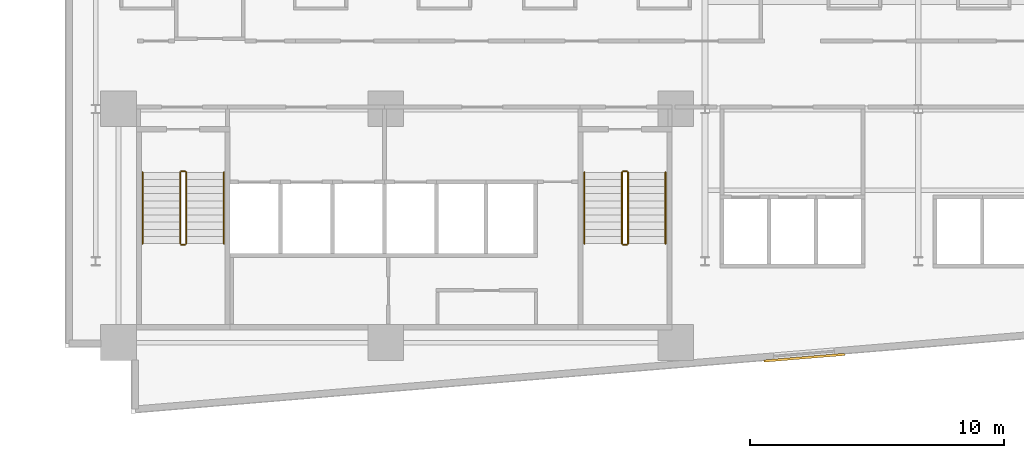
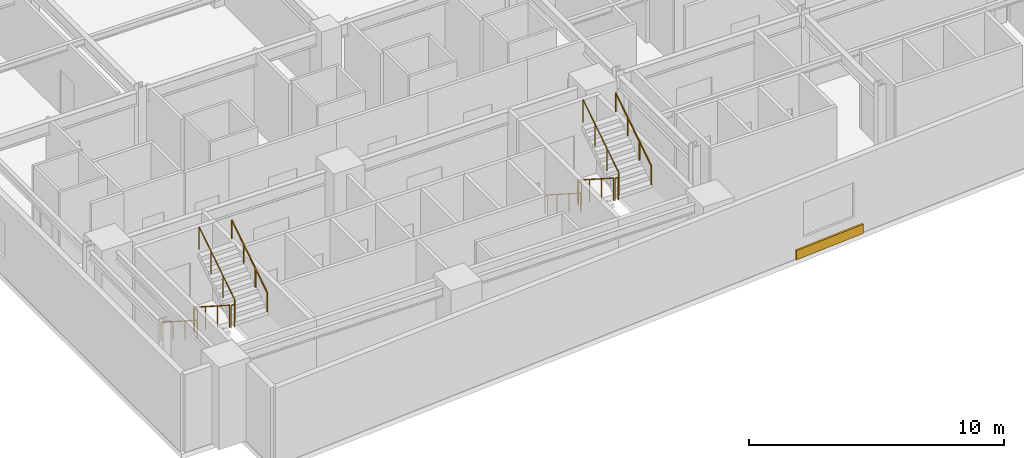
# One storey, part 17 of 21: 12 railings, 1 covering.
"""IFC4 building model written with IfcOpenShell, lengths in metres."""

import ifcopenshell
import ifcopenshell.guid

model = None  # the IFC model being written
_history = None  # IfcOwnerHistory: only IFC2X3 demands one
_inside = {}  # id of a spatial element -> (the spatial element, [elements in it])
_under = {}  # id of a project, library or spatial element -> (it, [spatial elements below it])
_declared = {}  # id of a project -> (the project, [libraries it declares])
_typed = {}  # id of a type object -> (the type object, [elements of that type])
_made_of = {}  # id of a material, layer set ... -> (it, [elements and type objects made of it])


def new_model(schema):
    """Start an empty IFC model of exactly this schema.

    Asked for "IFC4X3", IfcOpenShell would pick the latest addendum, in which some entities
    have other attributes; the version numbers below select the first issue.
    IFC2X3 requires an IfcOwnerHistory on every rooted entity: one is made here for all.
    """
    global model, _history
    if schema == "IFC4X3":
        model = ifcopenshell.file(schema_version=(4, 3, 0, 0))
    else:
        model = ifcopenshell.file(schema=schema)
    _inside.clear()
    _under.clear()
    _declared.clear()
    _typed.clear()
    _made_of.clear()
    _history = None
    if model.schema == "IFC2X3":
        org = make("IfcOrganization", Name="unknown")
        user = make(
            "IfcPersonAndOrganization",
            ThePerson=make("IfcPerson", FamilyName="unknown"),
            TheOrganization=org,
        )
        app = make(
            "IfcApplication",
            ApplicationDeveloper=org,
            Version="unknown",
            ApplicationFullName="unknown",
            ApplicationIdentifier="unknown",
        )
        _history = make(
            "IfcOwnerHistory",
            OwningUser=user,
            OwningApplication=app,
            ChangeAction="ADDED",
            CreationDate=0,
        )
    return model


def make(cls, **values):
    """One entity of the class cls with the attributes given. An attribute that is None is left unset."""
    return model.create_entity(
        cls, **{name: value for name, value in values.items() if value is not None}
    )


def rooted(cls, **values):
    """An entity with a GlobalId (a new one), such as an element, a storey or a relation."""
    return make(cls, GlobalId=ifcopenshell.guid.new(), OwnerHistory=_history, **values)


def si_unit(unit_type, name, prefix=None):
    """IfcSIUnit, for example si_unit("LENGTHUNIT", "METRE", prefix="MILLI")."""
    return make("IfcSIUnit", UnitType=unit_type, Prefix=prefix, Name=name)


def assignment(units):
    """IfcUnitAssignment: the units of a project."""
    return None if units is None else make("IfcUnitAssignment", Units=units)


def point(xyz):
    """IfcCartesianPoint."""
    return None if xyz is None else make("IfcCartesianPoint", Coordinates=xyz)


def direction(xyz):
    """IfcDirection."""
    return None if xyz is None else make("IfcDirection", DirectionRatios=xyz)


def frame(location, z_axis=None, x_axis=None):
    """IfcAxis2Placement3D, a coordinate frame: its origin and axes. An axis left out is left unset."""
    return make(
        "IfcAxis2Placement3D",
        Location=point(location),
        Axis=direction(z_axis),
        RefDirection=direction(x_axis),
    )


def frame_2d(location, x_axis=None):
    """IfcAxis2Placement2D, a coordinate frame in the plane: its origin and x axis."""
    return make(
        "IfcAxis2Placement2D", Location=point(location), RefDirection=direction(x_axis)
    )


def origin():
    """The frame at (0, 0, 0) with its axes left unset."""
    return frame((0.0, 0.0, 0.0))


def origin_2d():
    """The frame at (0, 0) in the plane with its x axis left unset."""
    return frame_2d((0.0, 0.0))


def place(relative_to, where):
    """IfcLocalPlacement: puts the frame where relative to a parent placement (None: the world)."""
    return make(
        "IfcLocalPlacement", PlacementRelTo=relative_to, RelativePlacement=where
    )


def context(
    kind, dimensions, precision=None, world=None, true_north=None, identifier=None
):
    """IfcGeometricRepresentationContext, for example the 3D "Model" context."""
    return make(
        "IfcGeometricRepresentationContext",
        ContextIdentifier=identifier,
        ContextType=kind,
        CoordinateSpaceDimension=dimensions,
        Precision=precision,
        WorldCoordinateSystem=world,
        TrueNorth=true_north,
    )


def subcontext(parent, identifier, kind, view, scale=None):
    """IfcGeometricRepresentationSubContext, for example "Body" below "Model"."""
    return make(
        "IfcGeometricRepresentationSubContext",
        ContextIdentifier=identifier,
        ContextType=kind,
        ParentContext=parent,
        TargetScale=scale,
        TargetView=view,
    )


def project(units=None, contexts=None):
    """IfcProject with its units and contexts."""
    return rooted(
        "IfcProject",
        Name="project",
        RepresentationContexts=contexts,
        UnitsInContext=assignment(units),
    )


def spatial(cls, under=None, at=None, **own):
    """A site, building, storey or space (cls), placed at a placement, below another one or the project."""
    s = rooted(cls, ObjectPlacement=at, **own)
    if under is not None:
        _under.setdefault(under.id(), (under, []))[1].append(s)
    return s


def profile(cls, at=None, kind="AREA", **sizes):
    """A parametric profile (cls). Its sizes go by their IFC names, for example OverallWidth=200.0."""
    return make(cls, ProfileType=kind, Position=at, **sizes)


def rectangle(**sizes):
    """IfcRectangleProfileDef."""
    return profile("IfcRectangleProfileDef", **sizes)


def circle(**sizes):
    """IfcCircleProfileDef."""
    return profile("IfcCircleProfileDef", **sizes)


def extrude(swept, where, along, depth):
    """IfcExtrudedAreaSolid: the profile swept, set in the frame where, extruded along a direction by depth."""
    return make(
        "IfcExtrudedAreaSolid",
        SweptArea=swept,
        Position=where,
        ExtrudedDirection=direction(along),
        Depth=depth,
    )


def shape(context_of_items, identifier, shape_type, items):
    """IfcShapeRepresentation: the items that make up one representation, for example the "Body"."""
    return make(
        "IfcShapeRepresentation",
        ContextOfItems=context_of_items,
        RepresentationIdentifier=identifier,
        RepresentationType=shape_type,
        Items=items,
    )


def material(Name=None, Category=None):
    """IfcMaterial."""
    return make("IfcMaterial", Name=Name, Category=Category)


def layer(
    of_material, thickness, ventilated=None, Name=None, Category=None, Priority=None
):
    """IfcMaterialLayer: one layer of a wall or slab, of a material (None: an air gap)."""
    return make(
        "IfcMaterialLayer",
        Material=of_material,
        LayerThickness=thickness,
        IsVentilated=ventilated,
        Name=Name,
        Category=Category,
        Priority=Priority,
    )


def layer_set(layers, Name=None):
    """IfcMaterialLayerSet."""
    return make("IfcMaterialLayerSet", MaterialLayers=layers, LayerSetName=Name)


def made_of(thing, what):
    """Note that an element or type object is made of a material, layer set ...; save() writes the relation."""
    if what is not None:
        _made_of.setdefault(what.id(), (what, []))[1].append(thing)
    return thing


def type_object(cls, material=None, **own):
    """A type object (cls), such as IfcWallType, which elements share."""
    return made_of(rooted(cls, **own), material)


def element(
    cls,
    number,
    at=None,
    inside=None,
    cuts=None,
    type_object=None,
    material=None,
    context=None,
    identifier="Body",
    shape_type=None,
    held_by="IfcProductDefinitionShape",
    body=None,
    shapes=None,
    **own,
):
    """One element of the class cls, such as IfcWall. Its Tag is "e" and its number.

    at: its placement. inside: the storey or other place that contains it. cuts: it is an
    opening in that element (IfcRelVoidsElement). A single representation is given by context,
    identifier, shape_type and body (its items); several are given by shapes. held_by: the class
    of the entity that holds the representations. save() writes the other relations.
    """
    e = rooted(cls, Tag="e%d" % number, ObjectPlacement=at, **own)
    if body is not None:
        shapes = [shape(context, identifier, shape_type, body)]
    if shapes is not None:
        e.Representation = make(held_by, Representations=shapes)
    if inside is not None:
        _inside.setdefault(inside.id(), (inside, []))[1].append(e)
    if cuts is not None:
        rooted(
            "IfcRelVoidsElement", RelatingBuildingElement=cuts, RelatedOpeningElement=e
        )
    if type_object is not None:
        _typed.setdefault(type_object.id(), (type_object, []))[1].append(e)
    return made_of(e, material)


def aggregate(whole, parts):
    """IfcRelAggregates: a whole, such as a stair, and the parts it consists of."""
    return rooted("IfcRelAggregates", RelatingObject=whole, RelatedObjects=parts)


def save(model, path):
    """Write the relations noted so far, then the file.

    IfcRelAggregates (storeys below a building ...), IfcRelContainedInSpatialStructure (elements
    in a storey), IfcRelDefinesByType, IfcRelAssociatesMaterial and IfcRelDeclares: one each for
    every whole, place, type object, material and project.
    """
    for whole, parts in _under.values():
        aggregate(whole, parts)
    for where, things in _inside.values():
        rooted(
            "IfcRelContainedInSpatialStructure",
            RelatedElements=things,
            RelatingStructure=where,
        )
    for kind, things in _typed.values():
        rooted("IfcRelDefinesByType", RelatedObjects=things, RelatingType=kind)
    for what, things in _made_of.values():
        rooted("IfcRelAssociatesMaterial", RelatedObjects=things, RelatingMaterial=what)
    for by, libraries in _declared.values():
        rooted("IfcRelDeclares", RelatingContext=by, RelatedDefinitions=libraries)
    model.write(path)


model = new_model("IFC4")

# Units and contexts
model_context = context("Model", 3, precision=1e-05, world=origin(), true_north=direction((0.0, 1.0)))
body_context = subcontext(model_context, "Body", "Model", "MODEL_VIEW")
ifc_project = project(units=[si_unit("LENGTHUNIT", "METRE"), si_unit("AREAUNIT", "SQUARE_METRE"), si_unit("VOLUMEUNIT", "CUBIC_METRE"), si_unit("PLANEANGLEUNIT", "RADIAN"), si_unit("MASSUNIT", "GRAM", prefix="KILO")], contexts=[model_context])

# Site, building, storey
site_placement = place(None, origin())
site = spatial("IfcSite", under=ifc_project, at=site_placement, CompositionType="ELEMENT")
building_placement = place(site_placement, origin())
building = spatial("IfcBuilding", under=site, at=building_placement, Name="Varnakote Quay Hospital", CompositionType="ELEMENT")
storey_placement = place(building_placement, frame((0.0, 0.0, 42.25)))
storey = spatial("IfcBuildingStorey", under=building, at=storey_placement, Name="L10", CompositionType="ELEMENT", Elevation=42.25)

# Covering
ifc_material_1 = material(Name="Kiln-fired red brick architectural cladding", Category="masonry")
ifc_layer = layer(ifc_material_1, 0.090087890625)
ifc_layer_set = layer_set([ifc_layer], Name="Kiln-fired red brick architectural cladding")
covering_type = type_object("IfcCoveringType", Name="COV-BRICK-CLAD-90", PredefinedType="CLADDING", material=ifc_layer_set)
covering_placement = place(storey_placement, frame((29.11328125, 2.201171875, 0.0), z_axis=(0.0, 0.0, 1.0), x_axis=(0.996565502498, 0.082808207512, 0.0)))
element("IfcCovering", 1, at=covering_placement, inside=storey, type_object=covering_type, Name="L10 Kiln-Brick Precast Spandrel Cladding Band", PredefinedType="CLADDING", context=body_context, shape_type="SweptSolid", body=[
    extrude(rectangle(XDim=3.199951171875, YDim=0.090087890625, at=origin_2d()), origin(), (0.0, 0.0, 1.0), 0.449951171875),
])

# Railings
ifc_material_2 = material(Name="Brushed stainless steel balustrade", Category="steel")
railing_type_1 = type_object("IfcRailingType", Name="RLG-STAIR-GUARD-1150", PredefinedType="GUARDRAIL", material=ifc_material_2)
railing_1_placement = place(storey_placement, frame((4.530029296875, 9.5, 0.179443359375)))
element("IfcRailing", 2, at=railing_1_placement, inside=storey, type_object=railing_type_1, Name="L10 ST-01 stair guard 1", PredefinedType="GUARDRAIL", context=body_context, shape_type="SweptSolid", body=[
    extrude(circle(Radius=0.02392578125, at=origin_2d()), frame((0.0, 0.0, 1.076171875), z_axis=(0.0, -0.841776520102, 0.539826166654), x_axis=(1.0, 0.0, 0.0)), (0.0, 0.0, 1.0), 3.326416015625),
    extrude(circle(Radius=0.02099609375, at=origin_2d()), origin(), (0.0, 0.0, 1.0), 1.052001953125),
    extrude(circle(Radius=0.02099609375, at=origin_2d()), frame((0.0, -0.933349609375, 0.5986328125)), (0.0, 0.0, 1.0), 1.052001953125),
    extrude(circle(Radius=0.02099609375, at=origin_2d()), frame((0.0, -1.86669921875, 1.197021484375)), (0.0, 0.0, 1.0), 1.052001953125),
    extrude(circle(Radius=0.02099609375, at=origin_2d()), frame((0.0, -2.800048828125, 1.795654296875)), (0.0, 0.0, 1.0), 1.052001953125),
])
railing_2_placement = place(storey_placement, frame((4.580078125, 6.64990234375, 1.97509765625)))
element("IfcRailing", 3, at=railing_2_placement, inside=storey, type_object=railing_type_1, Name="L10 ST-01 stair guard 2", PredefinedType="GUARDRAIL", context=body_context, shape_type="SweptSolid", body=[
    extrude(circle(Radius=0.02392578125, at=origin_2d()), frame((0.0, 0.0, 1.076171875), z_axis=(1.0, 0.0, 0.0), x_axis=(0.0, 1.0, 0.0)), (0.0, 0.0, 1.0), 0.139892578125),
    extrude(circle(Radius=0.02099609375, at=origin_2d()), origin(), (0.0, 0.0, 1.0), 1.052001953125),
    extrude(circle(Radius=0.02099609375, at=origin_2d()), frame((0.139892578125, 0.0, 0.0)), (0.0, 0.0, 1.0), 1.052001953125),
])
railing_3_placement = place(storey_placement, frame((4.77001953125, 6.699951171875, 2.154541015625)))
element("IfcRailing", 4, at=railing_3_placement, inside=storey, type_object=railing_type_1, Name="L10 ST-01 stair guard 3", PredefinedType="GUARDRAIL", context=body_context, shape_type="SweptSolid", body=[
    extrude(circle(Radius=0.02392578125, at=origin_2d()), frame((0.0, 0.0, 1.076171875), z_axis=(0.0, 0.841809871826, 0.539774156196), x_axis=(-1.0, 0.0, 0.0)), (0.0, 0.0, 1.0), 3.326171875),
    extrude(circle(Radius=0.02099609375, at=origin_2d()), origin(), (0.0, 0.0, 1.0), 1.052001953125),
    extrude(circle(Radius=0.02099609375, at=origin_2d()), frame((0.0, 0.933349609375, 0.598388671875)), (0.0, 0.0, 1.0), 1.052001953125),
    extrude(circle(Radius=0.02099609375, at=origin_2d()), frame((0.0, 1.86669921875, 1.197021484375)), (0.0, 0.0, 1.0), 1.052001953125),
    extrude(circle(Radius=0.02099609375, at=origin_2d()), frame((0.0, 2.800048828125, 1.79541015625)), (0.0, 0.0, 1.0), 1.052001953125),
])
railing_4_placement = place(storey_placement, frame((4.580078125, 9.550048828125, 0.0)))
element("IfcRailing", 5, at=railing_4_placement, inside=storey, type_object=railing_type_1, Name="L10 ST-01 stair guard 4", PredefinedType="GUARDRAIL", context=body_context, shape_type="SweptSolid", body=[
    extrude(circle(Radius=0.02392578125, at=origin_2d()), frame((0.0, 0.0, 1.076171875), z_axis=(1.0, 0.0, 0.0), x_axis=(0.0, 1.0, 0.0)), (0.0, 0.0, 1.0), 0.139892578125),
    extrude(circle(Radius=0.02099609375, at=origin_2d()), origin(), (0.0, 0.0, 1.0), 1.052001953125),
    extrude(circle(Radius=0.02099609375, at=origin_2d()), frame((0.139892578125, 0.0, 0.0)), (0.0, 0.0, 1.0), 1.052001953125),
])
railing_5_placement = place(storey_placement, frame((21.929931640625, 9.5, 0.179443359375)))
element("IfcRailing", 6, at=railing_5_placement, inside=storey, type_object=railing_type_1, Name="L10 ST-02 stair guard 1", PredefinedType="GUARDRAIL", context=body_context, shape_type="SweptSolid", body=[
    extrude(circle(Radius=0.02392578125, at=origin_2d()), frame((0.0, 0.0, 1.076171875), z_axis=(0.0, -0.841776520102, 0.539826166654), x_axis=(1.0, 0.0, 0.0)), (0.0, 0.0, 1.0), 3.326416015625),
    extrude(circle(Radius=0.02099609375, at=origin_2d()), origin(), (0.0, 0.0, 1.0), 1.052001953125),
    extrude(circle(Radius=0.02099609375, at=origin_2d()), frame((0.0, -0.933349609375, 0.5986328125)), (0.0, 0.0, 1.0), 1.052001953125),
    extrude(circle(Radius=0.02099609375, at=origin_2d()), frame((0.0, -1.86669921875, 1.197021484375)), (0.0, 0.0, 1.0), 1.052001953125),
    extrude(circle(Radius=0.02099609375, at=origin_2d()), frame((0.0, -2.800048828125, 1.795654296875)), (0.0, 0.0, 1.0), 1.052001953125),
])
railing_6_placement = place(storey_placement, frame((21.97998046875, 6.64990234375, 1.97509765625)))
element("IfcRailing", 7, at=railing_6_placement, inside=storey, type_object=railing_type_1, Name="L10 ST-02 stair guard 2", PredefinedType="GUARDRAIL", context=body_context, shape_type="SweptSolid", body=[
    extrude(circle(Radius=0.02392578125, at=origin_2d()), frame((0.0, 0.0, 1.076171875), z_axis=(1.0, 0.0, 0.0), x_axis=(0.0, 1.0, 0.0)), (0.0, 0.0, 1.0), 0.14013671875),
    extrude(circle(Radius=0.02099609375, at=origin_2d()), origin(), (0.0, 0.0, 1.0), 1.052001953125),
    extrude(circle(Radius=0.02099609375, at=origin_2d()), frame((0.14013671875, 0.0, 0.0)), (0.0, 0.0, 1.0), 1.052001953125),
])
railing_7_placement = place(storey_placement, frame((22.169921875, 6.699951171875, 2.154541015625)))
element("IfcRailing", 8, at=railing_7_placement, inside=storey, type_object=railing_type_1, Name="L10 ST-02 stair guard 3", PredefinedType="GUARDRAIL", context=body_context, shape_type="SweptSolid", body=[
    extrude(circle(Radius=0.02392578125, at=origin_2d()), frame((0.0, 0.0, 1.076171875), z_axis=(0.0, 0.841809871826, 0.539774156196), x_axis=(-1.0, 0.0, 0.0)), (0.0, 0.0, 1.0), 3.326171875),
    extrude(circle(Radius=0.02099609375, at=origin_2d()), origin(), (0.0, 0.0, 1.0), 1.052001953125),
    extrude(circle(Radius=0.02099609375, at=origin_2d()), frame((0.0, 0.933349609375, 0.598388671875)), (0.0, 0.0, 1.0), 1.052001953125),
    extrude(circle(Radius=0.02099609375, at=origin_2d()), frame((0.0, 1.86669921875, 1.197021484375)), (0.0, 0.0, 1.0), 1.052001953125),
    extrude(circle(Radius=0.02099609375, at=origin_2d()), frame((0.0, 2.800048828125, 1.79541015625)), (0.0, 0.0, 1.0), 1.052001953125),
])
railing_8_placement = place(storey_placement, frame((21.97998046875, 9.550048828125, 0.0)))
element("IfcRailing", 9, at=railing_8_placement, inside=storey, type_object=railing_type_1, Name="L10 ST-02 stair guard 4", PredefinedType="GUARDRAIL", context=body_context, shape_type="SweptSolid", body=[
    extrude(circle(Radius=0.02392578125, at=origin_2d()), frame((0.0, 0.0, 1.076171875), z_axis=(1.0, 0.0, 0.0), x_axis=(0.0, 1.0, 0.0)), (0.0, 0.0, 1.0), 0.14013671875),
    extrude(circle(Radius=0.02099609375, at=origin_2d()), origin(), (0.0, 0.0, 1.0), 1.052001953125),
    extrude(circle(Radius=0.02099609375, at=origin_2d()), frame((0.14013671875, 0.0, 0.0)), (0.0, 0.0, 1.0), 1.052001953125),
])
ifc_material_3 = material(Name="Brushed stainless steel handrail", Category="steel")
railing_type_2 = type_object("IfcRailingType", Name="RLG-STAIR-HND-920", PredefinedType="HANDRAIL", material=ifc_material_3)
railing_9_placement = place(storey_placement, frame((3.050048828125, 9.5, 0.179443359375)))
element("IfcRailing", 10, at=railing_9_placement, inside=storey, type_object=railing_type_2, Name="L10 ST-01 stair handrail 1", PredefinedType="HANDRAIL", context=body_context, shape_type="SweptSolid", body=[
    extrude(circle(Radius=0.02392578125, at=origin_2d()), frame((0.0, 0.0, 0.8759765625), z_axis=(0.0, -0.841776520102, 0.539826166654), x_axis=(1.0, 0.0, 0.0)), (0.0, 0.0, 1.0), 3.326416015625),
    extrude(circle(Radius=0.02099609375, at=origin_2d()), origin(), (0.0, 0.0, 1.0), 0.851806640625),
    extrude(circle(Radius=0.02099609375, at=origin_2d()), frame((0.0, -0.933349609375, 0.5986328125)), (0.0, 0.0, 1.0), 0.851806640625),
    extrude(circle(Radius=0.02099609375, at=origin_2d()), frame((0.0, -1.86669921875, 1.197021484375)), (0.0, 0.0, 1.0), 0.851806640625),
    extrude(circle(Radius=0.02099609375, at=origin_2d()), frame((0.0, -2.800048828125, 1.795654296875)), (0.0, 0.0, 1.0), 0.851806640625),
])
railing_10_placement = place(storey_placement, frame((6.25, 6.699951171875, 2.154541015625)))
element("IfcRailing", 11, at=railing_10_placement, inside=storey, type_object=railing_type_2, Name="L10 ST-01 stair handrail 2", PredefinedType="HANDRAIL", context=body_context, shape_type="SweptSolid", body=[
    extrude(circle(Radius=0.02392578125, at=origin_2d()), frame((0.0, 0.0, 0.8759765625), z_axis=(0.0, 0.841809871826, 0.539774156196), x_axis=(-1.0, 0.0, 0.0)), (0.0, 0.0, 1.0), 3.326171875),
    extrude(circle(Radius=0.02099609375, at=origin_2d()), origin(), (0.0, 0.0, 1.0), 0.851806640625),
    extrude(circle(Radius=0.02099609375, at=origin_2d()), frame((0.0, 0.933349609375, 0.598388671875)), (0.0, 0.0, 1.0), 0.851806640625),
    extrude(circle(Radius=0.02099609375, at=origin_2d()), frame((0.0, 1.86669921875, 1.197021484375)), (0.0, 0.0, 1.0), 0.851806640625),
    extrude(circle(Radius=0.02099609375, at=origin_2d()), frame((0.0, 2.800048828125, 1.79541015625)), (0.0, 0.0, 1.0), 0.851806640625),
])
railing_11_placement = place(storey_placement, frame((20.449951171875, 9.5, 0.179443359375)))
element("IfcRailing", 12, at=railing_11_placement, inside=storey, type_object=railing_type_2, Name="L10 ST-02 stair handrail 1", PredefinedType="HANDRAIL", context=body_context, shape_type="SweptSolid", body=[
    extrude(circle(Radius=0.02392578125, at=origin_2d()), frame((0.0, 0.0, 0.8759765625), z_axis=(0.0, -0.841776520102, 0.539826166654), x_axis=(1.0, 0.0, 0.0)), (0.0, 0.0, 1.0), 3.326416015625),
    extrude(circle(Radius=0.02099609375, at=origin_2d()), origin(), (0.0, 0.0, 1.0), 0.851806640625),
    extrude(circle(Radius=0.02099609375, at=origin_2d()), frame((0.0, -0.933349609375, 0.5986328125)), (0.0, 0.0, 1.0), 0.851806640625),
    extrude(circle(Radius=0.02099609375, at=origin_2d()), frame((0.0, -1.86669921875, 1.197021484375)), (0.0, 0.0, 1.0), 0.851806640625),
    extrude(circle(Radius=0.02099609375, at=origin_2d()), frame((0.0, -2.800048828125, 1.795654296875)), (0.0, 0.0, 1.0), 0.851806640625),
])
railing_12_placement = place(storey_placement, frame((23.64990234375, 6.699951171875, 2.154541015625)))
element("IfcRailing", 13, at=railing_12_placement, inside=storey, type_object=railing_type_2, Name="L10 ST-02 stair handrail 2", PredefinedType="HANDRAIL", context=body_context, shape_type="SweptSolid", body=[
    extrude(circle(Radius=0.02392578125, at=origin_2d()), frame((0.0, 0.0, 0.8759765625), z_axis=(0.0, 0.841809871826, 0.539774156196), x_axis=(-1.0, 0.0, 0.0)), (0.0, 0.0, 1.0), 3.326171875),
    extrude(circle(Radius=0.02099609375, at=origin_2d()), origin(), (0.0, 0.0, 1.0), 0.851806640625),
    extrude(circle(Radius=0.02099609375, at=origin_2d()), frame((0.0, 0.933349609375, 0.598388671875)), (0.0, 0.0, 1.0), 0.851806640625),
    extrude(circle(Radius=0.02099609375, at=origin_2d()), frame((0.0, 1.86669921875, 1.197021484375)), (0.0, 0.0, 1.0), 0.851806640625),
    extrude(circle(Radius=0.02099609375, at=origin_2d()), frame((0.0, 2.800048828125, 1.79541015625)), (0.0, 0.0, 1.0), 0.851806640625),
])

save(model, "model.ifc")
